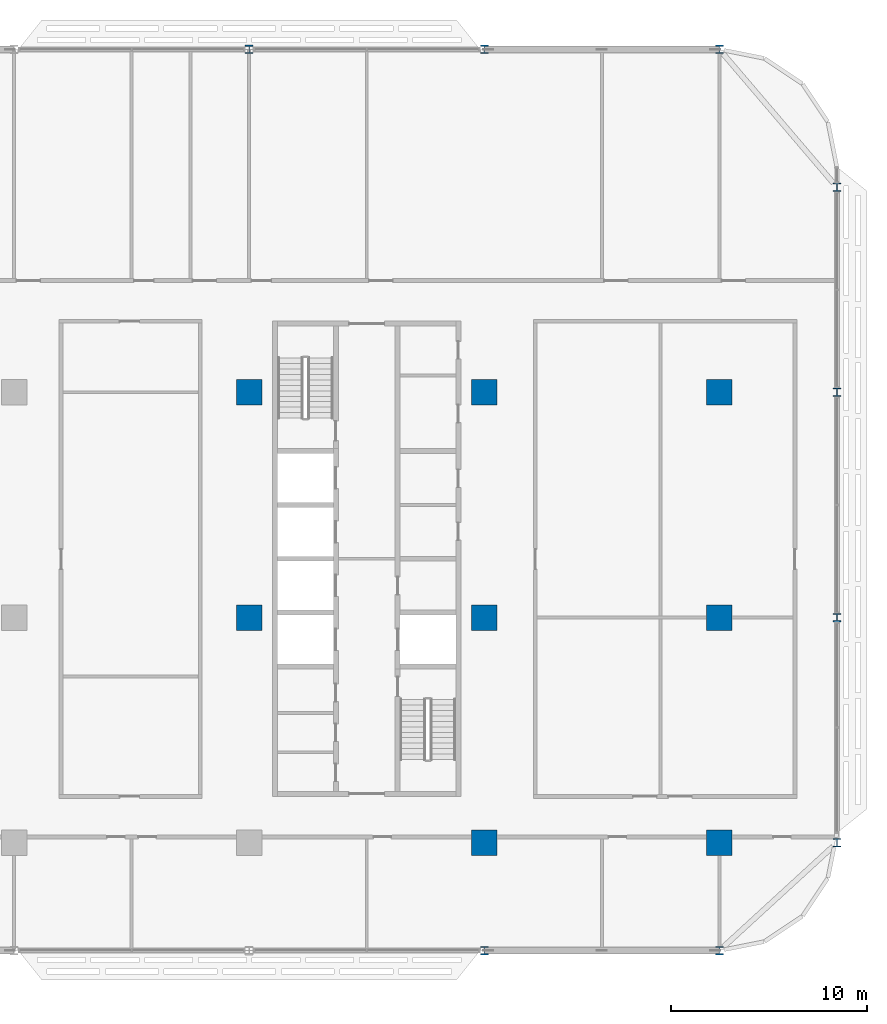
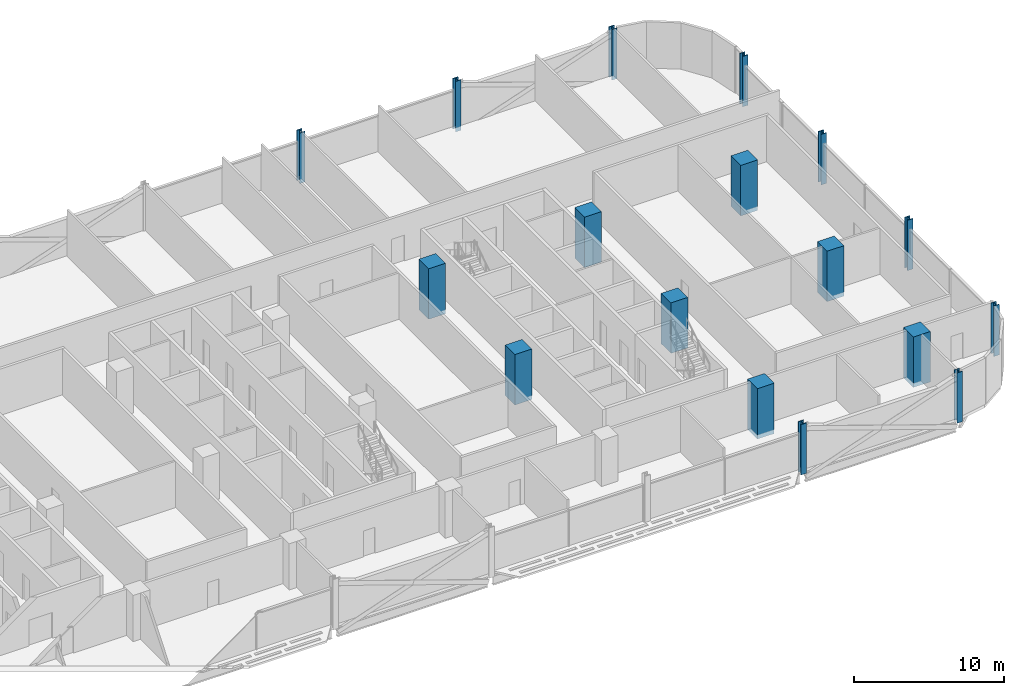
# One storey, part 2 of 29: 17 columns.
"""IFC4 building model written with IfcOpenShell, lengths in metres."""

from ifc_helpers import new_model, si_unit, direction, frame, origin, origin_2d, place, context, subcontext, project, spatial, rectangle, i_section, extrude, material, material_profile, profile_set, type_object, element, save


model = new_model("IFC4")

# Units and contexts
model_context = context("Model", 3, precision=1e-05, world=origin(), true_north=direction((0.0, 1.0)))
body_context = subcontext(model_context, "Body", "Model", "MODEL_VIEW")
ifc_project = project(units=[si_unit("LENGTHUNIT", "METRE"), si_unit("AREAUNIT", "SQUARE_METRE"), si_unit("VOLUMEUNIT", "CUBIC_METRE"), si_unit("PLANEANGLEUNIT", "RADIAN"), si_unit("MASSUNIT", "GRAM", prefix="KILO")], contexts=[model_context])

# Site, building, storey
site_placement = place(None, origin())
site = spatial("IfcSite", under=ifc_project, at=site_placement, CompositionType="ELEMENT")
building_placement = place(site_placement, origin())
building = spatial("IfcBuilding", under=site, at=building_placement, Name="Mahtab Terrace Research Tower", CompositionType="ELEMENT")
storey_placement = place(building_placement, frame((0.0, 0.0, 126.10009765625)))
storey = spatial("IfcBuildingStorey", under=building, at=storey_placement, Name="L29", CompositionType="ELEMENT", Elevation=126.10009765625)

# Columns
ifc_material_1 = material(Name="Concrete C70/85", Category="concrete")
ifc_material_profile_1 = material_profile(ifc_material_1, rectangle(XDim=1.300048828125, YDim=1.300048828125, at=origin_2d()), Name="RC column 1300x1300")
ifc_profile_set_1 = profile_set([ifc_material_profile_1], Name="Concrete C70/85")
column_type_1 = type_object("IfcColumnType", Name="RC column 1300x1300", PredefinedType="COLUMN", material=ifc_profile_set_1)
for number, where, z_axis, x_axis, name in (
    (1, (18.0, 0.0, -0.340087890625), (0.0, 0.0, 1.0), (1.0, 0.0, 0.0), "Column RC-6B L29"),
    (2, (18.0, 11.5, -0.340087890625), (0.0, 0.0, 1.0), (1.0, 0.0, 0.0), "Column RC-6C L29"),
    (3, (30.0, -11.5, -0.340087890625), (0.0, 0.0, 1.0), (1.0, 0.0, 0.0), "Column RC-7A L29"),
    (4, (30.0, 0.0, -0.340087890625), (0.0, 0.0, 1.0), (1.0, 0.0, 0.0), "Column RC-7B L29"),
    (5, (30.0, 11.5, -0.340087890625), (0.0, 0.0, 1.0), (1.0, 0.0, 0.0), "Column RC-7C L29"),
    (6, (42.0, -11.5, -0.340087890625), (0.0, 0.0, 1.0), (1.0, 0.0, 0.0), "Column RC-8A L29"),
    (7, (42.0, 0.0, -0.340087890625), (0.0, 0.0, 1.0), (1.0, 0.0, 0.0), "Column RC-8B L29"),
    (8, (42.0, 11.5, -0.340087890625), (0.0, 0.0, 1.0), (1.0, 0.0, 0.0), "Column RC-8C L29"),
):
    element("IfcColumn", number, at=place(storey_placement, frame(where, z_axis=z_axis, x_axis=x_axis)), inside=storey, type_object=column_type_1, Name=name, PredefinedType="COLUMN", context=body_context, shape_type="SweptSolid", body=[
        extrude(rectangle(XDim=1.300048828125, YDim=1.300048828125, at=origin_2d()), origin(), (0.0, 0.0, 1.0), 4.10009765625),
    ])
ifc_material_2 = material(Name="Steel ASTM A992 Gr 50", Category="steel")
ifc_material_profile_2 = material_profile(ifc_material_2, i_section(OverallWidth=0.41162109375, OverallDepth=0.434326171875, WebThickness=0.035888671875, FlangeThickness=0.057373046875, at=origin_2d()), Name="W14X311")
ifc_profile_set_2 = profile_set([ifc_material_profile_2], Name="Steel ASTM A992 Gr 50")
column_type_2 = type_object("IfcColumnType", Name="W14x311 column CS14311", PredefinedType="COLUMN", material=ifc_profile_set_2)
for number, where, z_axis, x_axis, name in (
    (9, (42.0, 29.0, -0.340087890625), (0.0, 0.0, 1.0), (1.0, 0.0, 0.0), "Column SC-031 L29"),
    (10, (30.0, 29.0, -0.340087890625), (0.0, 0.0, 1.0), (1.0, 0.0, 0.0), "Column SC-032 L29"),
    (11, (18.0, 29.0, -0.340087890625), (0.0, 0.0, 1.0), (1.0, 0.0, 0.0), "Column SC-033 L29"),
    (12, (30.0, -17.0, -0.340087890625), (0.0, 0.0, 1.0), (1.0, 0.0, 0.0), "Column SC-044 L29"),
    (13, (42.0, -17.0, -0.340087890625), (0.0, 0.0, 1.0), (1.0, 0.0, 0.0), "Column SC-045 L29"),
    (14, (48.0, -11.5, -0.340087890625), (0.0, 0.0, 1.0), (1.0, 0.0, 0.0), "Column SC-020 L29"),
    (15, (48.0, 0.0, -0.340087890625), (0.0, 0.0, 1.0), (1.0, 0.0, 0.0), "Column SC-021 L29"),
    (16, (48.0, 11.5, -0.340087890625), (0.0, 0.0, 1.0), (1.0, 0.0, 0.0), "Column SC-022 L29"),
    (17, (48.0, 21.9619140625, -0.340087890625), (0.0, 0.0, 1.0), (1.0, 0.0, 0.0), "Column SC-050 L29"),
):
    element("IfcColumn", number, at=place(storey_placement, frame(where, z_axis=z_axis, x_axis=x_axis)), inside=storey, type_object=column_type_2, Name=name, PredefinedType="COLUMN", context=body_context, shape_type="SweptSolid", body=[
        extrude(i_section(OverallWidth=0.41162109375, OverallDepth=0.434326171875, WebThickness=0.035888671875, FlangeThickness=0.057373046875, at=origin_2d()), origin(), (0.0, 0.0, 1.0), 4.10009765625),
    ])

save(model, "model.ifc")
